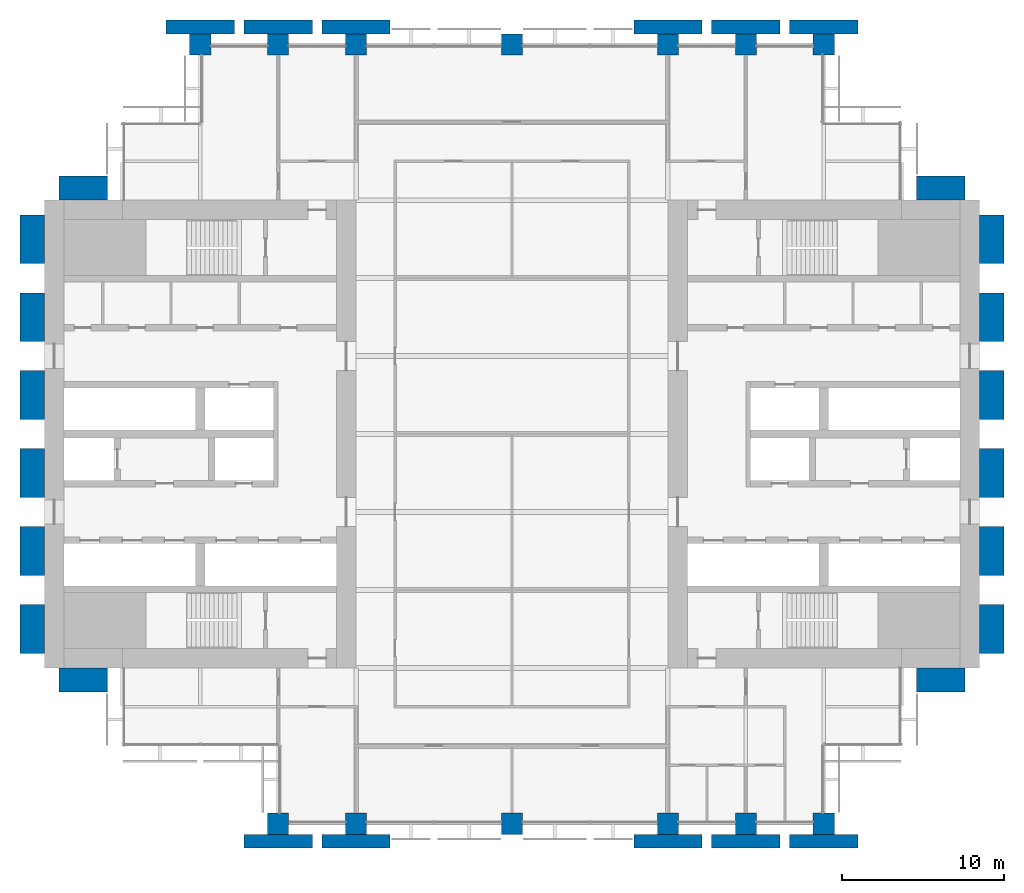
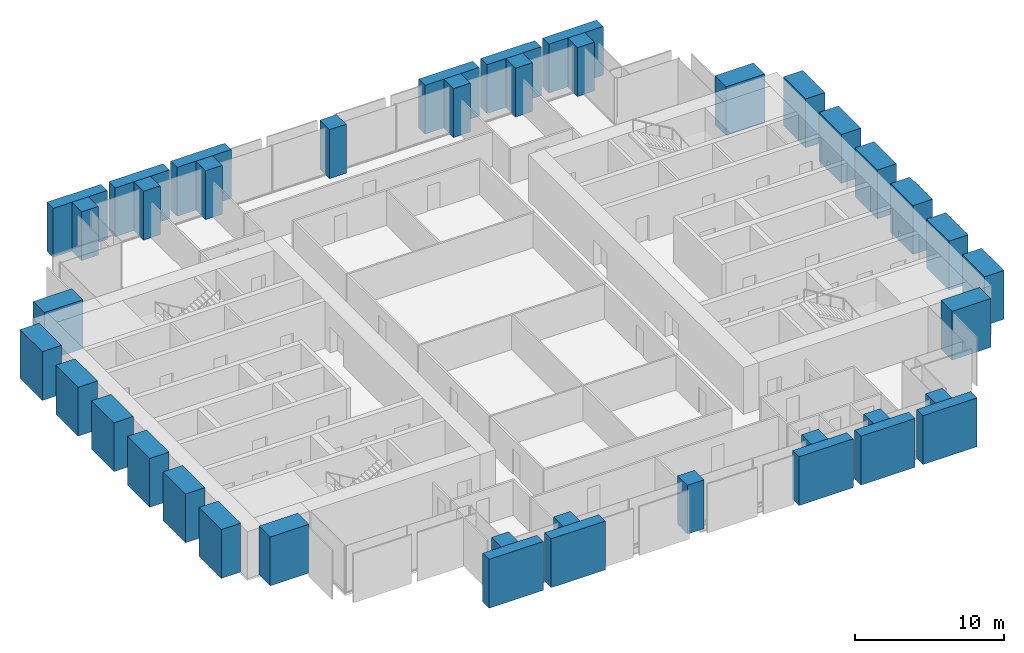
# One storey, part 1 of 14: 40 columns.
"""IFC4 building model written with IfcOpenShell, lengths in metres."""

from ifc_helpers import new_model, si_unit, direction, frame, origin, origin_2d, place, context, subcontext, project, spatial, rectangle, extrude, material, material_profile, profile_set, type_object, element, save


model = new_model("IFC4")

# Units and contexts
model_context = context("Model", 3, precision=1e-05, world=origin(), true_north=direction((0.0, 1.0)))
body_context = subcontext(model_context, "Body", "Model", "MODEL_VIEW")
ifc_project = project(units=[si_unit("LENGTHUNIT", "METRE"), si_unit("AREAUNIT", "SQUARE_METRE"), si_unit("VOLUMEUNIT", "CUBIC_METRE"), si_unit("PLANEANGLEUNIT", "RADIAN"), si_unit("MASSUNIT", "GRAM", prefix="KILO")], contexts=[model_context])

# Site, building, storey
site_placement = place(None, origin())
site = spatial("IfcSite", under=ifc_project, at=site_placement, CompositionType="ELEMENT")
building_placement = place(site_placement, origin())
building = spatial("IfcBuilding", under=site, at=building_placement, Name="Baori Bourse Tower", CompositionType="ELEMENT")
storey_placement = place(building_placement, frame((0.0, 0.0, 43.0)))
storey = spatial("IfcBuildingStorey", under=building, at=storey_placement, Name="L08", CompositionType="ELEMENT", Elevation=43.0)

# Columns
ifc_material_1 = material(Name="Concrete f'c 60 MPa", Category="concrete")
ifc_material_profile_1 = material_profile(ifc_material_1, rectangle(XDim=4.199951171875, YDim=0.85009765625, at=origin_2d()), Name="RC 4200x850")
ifc_profile_set_1 = profile_set([ifc_material_profile_1], Name="Concrete f'c 60 MPa")
column_type_1 = type_object("IfcColumnType", Name="FN3 Brick pilaster 4200x850", PredefinedType="PILASTER", material=ifc_profile_set_1)
for number, where, z_axis, x_axis, name in (
    (1, (14.39990234375, -1.074951171875, 0.0), (0.0, 0.0, 1.0), (1.0, 0.0, 0.0), "Brick pilaster L08 17"),
    (2, (19.199951171875, -1.074951171875, 0.0), (0.0, 0.0, 1.0), (1.0, 0.0, 0.0), "Brick pilaster L08 18"),
    (3, (38.39990234375, -1.074951171875, 0.0), (0.0, 0.0, 1.0), (1.0, 0.0, 0.0), "Brick pilaster L08 19"),
    (4, (43.199951171875, -1.074951171875, 0.0), (0.0, 0.0, 1.0), (1.0, 0.0, 0.0), "Brick pilaster L08 20"),
    (5, (48.0, -1.074951171875, 0.0), (0.0, 0.0, 1.0), (1.0, 0.0, 0.0), "Brick pilaster L08 21"),
    (6, (9.60009765625, 49.074951171875, 0.0), (0.0, 0.0, 1.0), (1.0, 0.0, 0.0), "Brick pilaster L08 22"),
    (7, (14.39990234375, 49.074951171875, 0.0), (0.0, 0.0, 1.0), (1.0, 0.0, 0.0), "Brick pilaster L08 23"),
    (8, (19.199951171875, 49.074951171875, 0.0), (0.0, 0.0, 1.0), (1.0, 0.0, 0.0), "Brick pilaster L08 24"),
    (9, (38.39990234375, 49.074951171875, 0.0), (0.0, 0.0, 1.0), (1.0, 0.0, 0.0), "Brick pilaster L08 25"),
    (10, (43.199951171875, 49.074951171875, 0.0), (0.0, 0.0, 1.0), (1.0, 0.0, 0.0), "Brick pilaster L08 26"),
    (11, (48.0, 49.074951171875, 0.0), (0.0, 0.0, 1.0), (1.0, 0.0, 0.0), "Brick pilaster L08 27"),
):
    element("IfcColumn", number, at=place(storey_placement, frame(where, z_axis=z_axis, x_axis=x_axis)), inside=storey, type_object=column_type_1, Name=name, PredefinedType="PILASTER", context=body_context, shape_type="SweptSolid", body=[
        extrude(rectangle(XDim=4.199951171875, YDim=0.85009765625, at=origin_2d()), origin(), (0.0, 0.0, 1.0), 4.0),
    ])
ifc_material_2 = material(Name="Concrete f'c 60 MPa", Category="concrete")
ifc_material_profile_2 = material_profile(ifc_material_2, rectangle(XDim=3.0, YDim=1.5, at=origin_2d()), Name="RC 3000x1500")
ifc_profile_set_2 = profile_set([ifc_material_profile_2], Name="Concrete f'c 60 MPa")
column_type_2 = type_object("IfcColumnType", Name="FN4 Brick flank pilaster 3000x1500", PredefinedType="PILASTER", material=ifc_profile_set_2)
for number, where, z_axis, x_axis, name in (
    (12, (55.199951171875, 8.85009765625, 0.0), (0.0, 0.0, 1.0), (1.0, 0.0, 0.0), "Brick pilaster L08 1"),
    (13, (58.35009765625, 12.0, 0.0), (0.0, 0.0, 1.0), (0.0, 1.0, 0.0), "Brick pilaster L08 2"),
    (14, (58.35009765625, 16.800048828125, 0.0), (0.0, 0.0, 1.0), (0.0, 1.0, 0.0), "Brick pilaster L08 3"),
    (15, (58.35009765625, 21.60009765625, 0.0), (0.0, 0.0, 1.0), (0.0, 1.0, 0.0), "Brick pilaster L08 4"),
    (16, (58.35009765625, 26.39990234375, 0.0), (0.0, 0.0, 1.0), (0.0, 1.0, 0.0), "Brick pilaster L08 5"),
    (17, (58.35009765625, 31.199951171875, 0.0), (0.0, 0.0, 1.0), (0.0, 1.0, 0.0), "Brick pilaster L08 6"),
    (18, (58.35009765625, 36.0, 0.0), (0.0, 0.0, 1.0), (0.0, 1.0, 0.0), "Brick pilaster L08 7"),
    (19, (55.199951171875, 39.14990234375, 0.0), (0.0, 0.0, 1.0), (1.0, 0.0, 0.0), "Brick pilaster L08 8"),
    (20, (2.39990234375, 39.14990234375, 0.0), (0.0, 0.0, 1.0), (1.0, 0.0, 0.0), "Brick pilaster L08 9"),
    (21, (-0.75, 12.0, 0.0), (0.0, 0.0, 1.0), (0.0, 1.0, 0.0), "Brick pilaster L08 10"),
    (22, (-0.75, 16.800048828125, 0.0), (0.0, 0.0, 1.0), (0.0, 1.0, 0.0), "Brick pilaster L08 11"),
    (23, (-0.75, 21.60009765625, 0.0), (0.0, 0.0, 1.0), (0.0, 1.0, 0.0), "Brick pilaster L08 12"),
    (24, (-0.75, 26.39990234375, 0.0), (0.0, 0.0, 1.0), (0.0, 1.0, 0.0), "Brick pilaster L08 13"),
    (25, (-0.75, 31.199951171875, 0.0), (0.0, 0.0, 1.0), (0.0, 1.0, 0.0), "Brick pilaster L08 14"),
    (26, (-0.75, 36.0, 0.0), (0.0, 0.0, 1.0), (0.0, 1.0, 0.0), "Brick pilaster L08 15"),
    (27, (2.39990234375, 8.85009765625, 0.0), (0.0, 0.0, 1.0), (1.0, 0.0, 0.0), "Brick pilaster L08 16"),
):
    element("IfcColumn", number, at=place(storey_placement, frame(where, z_axis=z_axis, x_axis=x_axis)), inside=storey, type_object=column_type_2, Name=name, PredefinedType="PILASTER", context=body_context, shape_type="SweptSolid", body=[
        extrude(rectangle(XDim=3.0, YDim=1.5, at=origin_2d()), origin(), (0.0, 0.0, 1.0), 4.0),
    ])
ifc_material_3 = material(Name="Concrete f'c 70 MPa", Category="concrete")
ifc_material_profile_3 = material_profile(ifc_material_3, rectangle(XDim=1.300048828125, YDim=1.300048828125, at=origin_2d()), Name="RC 1300x1300")
ifc_profile_set_3 = profile_set([ifc_material_profile_3], Name="Concrete f'c 70 MPa")
column_type_3 = type_object("IfcColumnType", Name="Perimeter column RC 1300x1300", PredefinedType="COLUMN", material=ifc_profile_set_3)
for number, where, z_axis, x_axis, name in (
    (28, (14.39990234375, 0.0, 0.0), (0.0, 0.0, 1.0), (1.0, 0.0, 0.0), "Perimeter column L08"),
    (29, (19.199951171875, 0.0, 0.0), (0.0, 0.0, 1.0), (1.0, 0.0, 0.0), "Perimeter column L08"),
    (30, (28.800048828125, 0.0, 0.0), (0.0, 0.0, 1.0), (1.0, 0.0, 0.0), "Perimeter column L08"),
    (31, (38.39990234375, 0.0, 0.0), (0.0, 0.0, 1.0), (1.0, 0.0, 0.0), "Perimeter column L08"),
    (32, (43.199951171875, 0.0, 0.0), (0.0, 0.0, 1.0), (1.0, 0.0, 0.0), "Perimeter column L08"),
    (33, (48.0, 0.0, 0.0), (0.0, 0.0, 1.0), (1.0, 0.0, 0.0), "Perimeter column L08"),
    (34, (9.60009765625, 48.0, 0.0), (0.0, 0.0, 1.0), (1.0, 0.0, 0.0), "Perimeter column L08"),
    (35, (14.39990234375, 48.0, 0.0), (0.0, 0.0, 1.0), (1.0, 0.0, 0.0), "Perimeter column L08"),
    (36, (19.199951171875, 48.0, 0.0), (0.0, 0.0, 1.0), (1.0, 0.0, 0.0), "Perimeter column L08"),
    (37, (28.800048828125, 48.0, 0.0), (0.0, 0.0, 1.0), (1.0, 0.0, 0.0), "Perimeter column L08"),
    (38, (38.39990234375, 48.0, 0.0), (0.0, 0.0, 1.0), (1.0, 0.0, 0.0), "Perimeter column L08"),
    (39, (43.199951171875, 48.0, 0.0), (0.0, 0.0, 1.0), (1.0, 0.0, 0.0), "Perimeter column L08"),
    (40, (48.0, 48.0, 0.0), (0.0, 0.0, 1.0), (1.0, 0.0, 0.0), "Perimeter column L08"),
):
    element("IfcColumn", number, at=place(storey_placement, frame(where, z_axis=z_axis, x_axis=x_axis)), inside=storey, type_object=column_type_3, Name=name, PredefinedType="COLUMN", context=body_context, shape_type="SweptSolid", body=[
        extrude(rectangle(XDim=1.300048828125, YDim=1.300048828125, at=origin_2d()), origin(), (0.0, 0.0, 1.0), 4.0),
    ])

save(model, "model.ifc")
